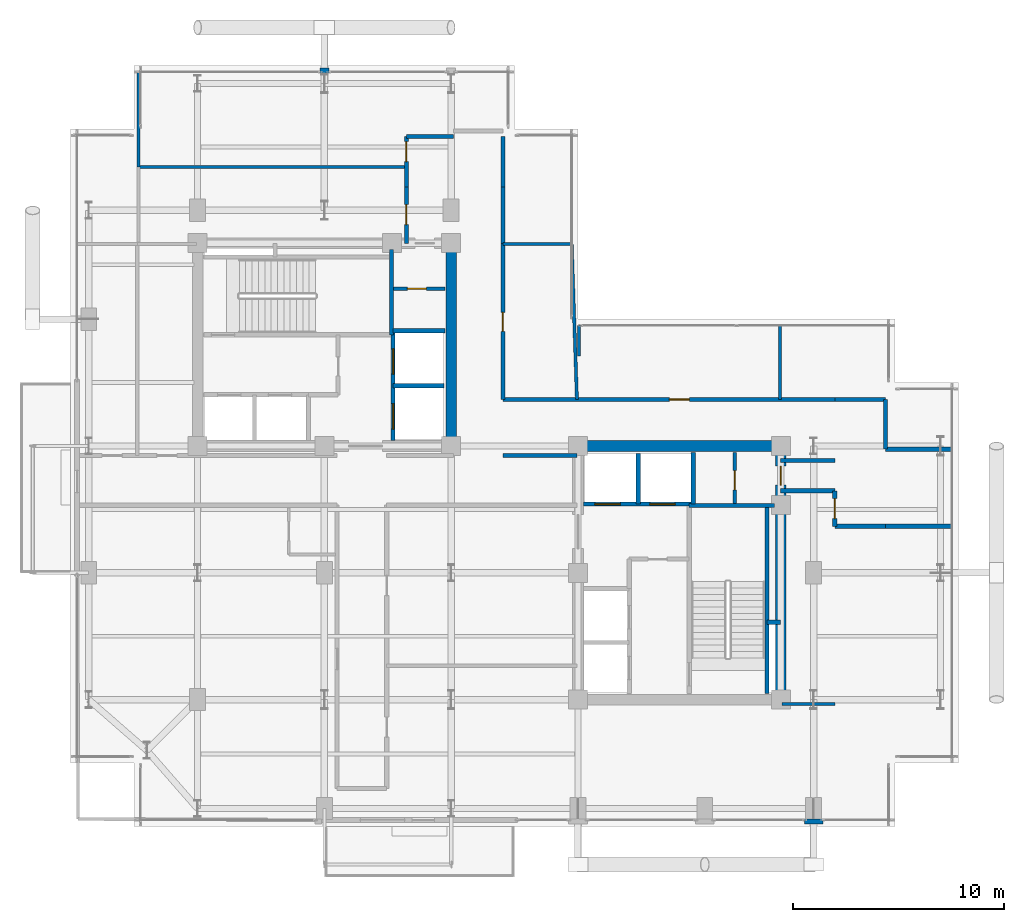
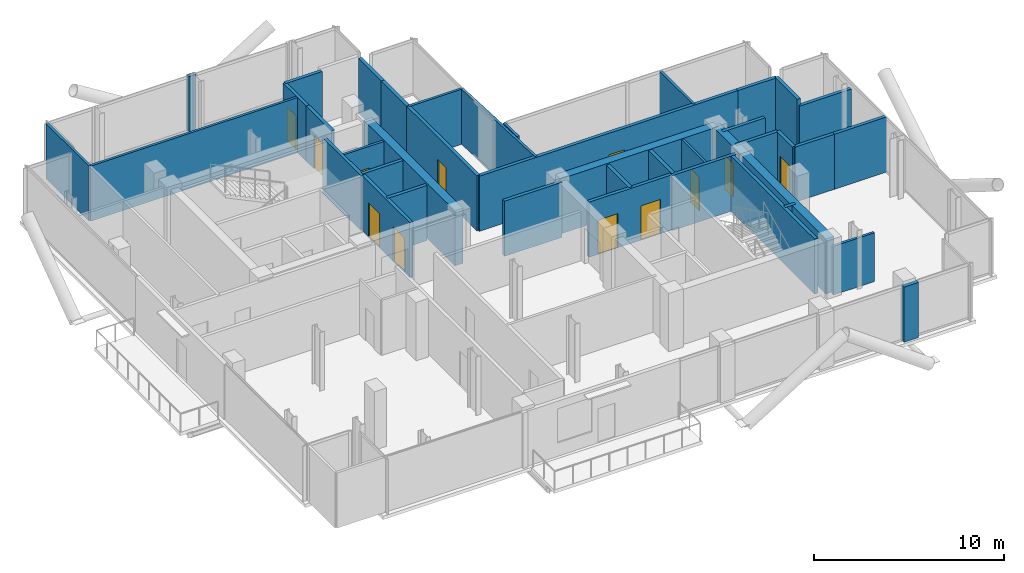
# One storey, part 18 of 21: 40 walls, 12 doors, 12 openings.
"""IFC4 building model written with IfcOpenShell, lengths in metres."""

from ifc_helpers import new_model, si_unit, direction, frame, frame_2d, origin, place, context, subcontext, project, spatial, rectangle, extrude, material, layer, layer_set, type_object, element, fill, save


model = new_model("IFC4")

# Units and contexts
model_context = context("Model", 3, precision=1e-05, world=origin(), true_north=direction((0.0, 1.0)))
body_context = subcontext(model_context, "Body", "Model", "MODEL_VIEW")
ifc_project = project(units=[si_unit("LENGTHUNIT", "METRE"), si_unit("AREAUNIT", "SQUARE_METRE"), si_unit("VOLUMEUNIT", "CUBIC_METRE"), si_unit("PLANEANGLEUNIT", "RADIAN"), si_unit("MASSUNIT", "GRAM", prefix="KILO"), si_unit("THERMODYNAMICTEMPERATUREUNIT", "KELVIN"), si_unit("POWERUNIT", "WATT")], contexts=[model_context])

# Site, building, storey
site_placement = place(None, origin())
site = spatial("IfcSite", under=ifc_project, at=site_placement, CompositionType="ELEMENT")
building_placement = place(site_placement, origin())
building = spatial("IfcBuilding", under=site, at=building_placement, Name="Svarakhadi Broadcast Tower", CompositionType="ELEMENT")
storey_placement = place(building_placement, frame((0.0, 0.0, 223.64990234375)))
storey = spatial("IfcBuildingStorey", under=building, at=storey_placement, Name="L55", CompositionType="ELEMENT", Elevation=223.64990234375)

# Walls
ifc_material_1 = material(Name="Concrete C40/50 (IS 456 M50)", Category="concrete")
ifc_layer_1 = layer(ifc_material_1, 0.239990234375)
ifc_layer_set_1 = layer_set([ifc_layer_1], Name="Concrete C40/50 (IS 456 M50)")
wall_type_1 = type_object("IfcWallType", Name="Wall_Ext_240", PredefinedType="SOLIDWALL", material=ifc_layer_set_1)
wall_1_placement = place(storey_placement, frame((11.784912109375, 35.760009765625, 0.0), z_axis=(0.0, 0.0, 1.0), x_axis=(1.0, 0.0, 0.0)))
element("IfcWall", 1, at=wall_1_placement, inside=storey, type_object=wall_type_1, Name="L55 Perimeter Bronze Spandrel Closure Wall 01", PredefinedType="SOLIDWALL", context=body_context, shape_type="SweptSolid", body=[
    extrude(rectangle(XDim=0.43017578125, YDim=0.239990234375, at=frame_2d((0.215087890625, 0.0))), origin(), (0.0, 0.0, 1.0), 3.5400390625),
])
wall_2_placement = place(storey_placement, frame((35.590087890625, 0.239990234375, 0.0), z_axis=(0.0, 0.0, 1.0), x_axis=(-1.0, 0.0, 0.0)))
element("IfcWall", 2, at=wall_2_placement, inside=storey, type_object=wall_type_1, Name="L55 Perimeter Bronze Spandrel Closure Wall 03", PredefinedType="SOLIDWALL", context=body_context, shape_type="SweptSolid", body=[
    extrude(rectangle(XDim=0.880126953125, YDim=0.239990234375, at=frame_2d((0.43994140625, 0.0))), origin(), (0.0, 0.0, 1.0), 3.5400390625),
])
ifc_layer_2 = layer(ifc_material_1, 0.199951171875)
ifc_layer_set_2 = layer_set([ifc_layer_2], Name="Concrete C40/50 (IS 456 M50)")
wall_type_2 = type_object("IfcWallType", Name="Wall_Fire_200", PredefinedType="SOLIDWALL", material=ifc_layer_set_2)
wall_3_placement = place(storey_placement, frame((32.93994140625, 9.659912109375, 0.0), z_axis=(0.0, 0.0, 1.0), x_axis=(1.0, 0.0, 0.0)))
element("IfcWall", 3, at=wall_3_placement, inside=storey, type_object=wall_type_2, Name="L55 HV Busduct Riser Shaft North Wall", PredefinedType="SOLIDWALL", context=body_context, shape_type="SweptSolid", body=[
    extrude(rectangle(XDim=0.64013671875, YDim=0.199951171875, at=frame_2d((0.320068359375, 0.0))), origin(), (0.0, 0.0, 1.0), 3.5400390625),
])

# Wall, opening, door
wall_4_placement = place(storey_placement, frame((15.8798828125, 27.580078125, 0.0), z_axis=(0.0, 0.0, 1.0), x_axis=(0.0, 1.0, 0.0)))
wall_4 = element("IfcWall", 4, at=wall_4_placement, inside=storey, type_object=wall_type_2, Name="L55 Upper Tower Concourse Wall", PredefinedType="SOLIDWALL", context=body_context, shape_type="SweptSolid", body=[
    extrude(rectangle(XDim=2.669921875, YDim=0.199951171875, at=frame_2d((1.3349609375, 0.0))), origin(), (0.0, 0.0, 1.0), 3.5400390625),
])
opening_1_placement = place(wall_4_placement, frame((0.89501953125, 0.0, 0.0)))
opening_1 = element("IfcOpeningElement", 5, at=opening_1_placement, cuts=wall_4, Name="Opening D-07", PredefinedType="OPENING", context=body_context, shape_type="SweptSolid", body=[
    extrude(rectangle(XDim=0.949951171875, YDim=2.14990234375, at=frame_2d((0.47509765625, 1.074951171875))), frame((0.0, 0.10986328125, 0.0), z_axis=(0.0, -1.0, 0.0), x_axis=(1.0, 0.0, 0.0)), (0.0, 0.0, 1.0), 0.219970703125),
])
ifc_material_2 = material(Name="Solid-Core Teak Veneer Acoustic Timber Leaf", Category="wood")
door_type_1 = type_object("IfcDoorType", Name="Door_Office_D07", OperationType="SINGLE_SWING_RIGHT", PredefinedType="DOOR", material=ifc_material_2)
door_1_placement = place(opening_1_placement, origin())
door_1 = element("IfcDoor", 6, at=door_1_placement, inside=storey, type_object=door_type_1, Name="L55 Ambassador Sky Lounge Door", OperationType="SINGLE_SWING_RIGHT", OverallHeight=2.14990234375, OverallWidth=0.949951171875, PredefinedType="DOOR", context=body_context, shape_type="SweptSolid", body=[
    extrude(rectangle(XDim=0.949951171875, YDim=2.14990234375, at=frame_2d((0.47509765625, 1.074951171875))), frame((0.0, 0.02490234375, 0.0), z_axis=(0.0, -1.0, 0.0), x_axis=(1.0, 0.0, 0.0)), (0.0, 0.0, 1.0), 0.050048828125),
])
fill(opening_1, door_1)

wall_5_placement = place(storey_placement, frame((15.8798828125, 30.25, 0.0), z_axis=(0.0, 0.0, 1.0), x_axis=(0.0, 1.0, 0.0)))
wall_5 = element("IfcWall", 7, at=wall_5_placement, inside=storey, type_object=wall_type_2, Name="L55 Upper Tower Concourse Wall", PredefinedType="SOLIDWALL", context=body_context, shape_type="SweptSolid", body=[
    extrude(rectangle(XDim=2.39990234375, YDim=0.199951171875, at=frame_2d((1.199951171875, 0.0))), origin(), (0.0, 0.0, 1.0), 3.5400390625),
])
opening_2_placement = place(wall_5_placement, frame((1.199951171875, 0.0, 0.0)))
opening_2 = element("IfcOpeningElement", 8, at=opening_2_placement, cuts=wall_5, Name="Opening D-06", PredefinedType="OPENING", context=body_context, shape_type="SweptSolid", body=[
    extrude(rectangle(XDim=0.949951171875, YDim=2.14990234375, at=frame_2d((0.47509765625, 1.074951171875))), frame((0.0, 0.10986328125, 0.0), z_axis=(0.0, -1.0, 0.0), x_axis=(1.0, 0.0, 0.0)), (0.0, 0.0, 1.0), 0.219970703125),
])
door_type_2 = type_object("IfcDoorType", Name="Door_Office_D06", OperationType="SINGLE_SWING_LEFT", PredefinedType="DOOR", material=ifc_material_2)
door_2_placement = place(opening_2_placement, origin())
door_2 = element("IfcDoor", 9, at=door_2_placement, inside=storey, type_object=door_type_2, Name="L55 Private Screening Boardroom Door", OperationType="SINGLE_SWING_LEFT", OverallHeight=2.14990234375, OverallWidth=0.949951171875, PredefinedType="DOOR", context=body_context, shape_type="SweptSolid", body=[
    extrude(rectangle(XDim=0.949951171875, YDim=2.14990234375, at=frame_2d((0.47509765625, 1.074951171875))), frame((0.0, 0.02490234375, 0.0), z_axis=(0.0, -1.0, 0.0), x_axis=(1.0, 0.0, 0.0)), (0.0, 0.0, 1.0), 0.050048828125),
])
fill(opening_2, door_2)

# Walls
wall_6_placement = place(storey_placement, frame((15.8798828125, 32.64990234375, 0.0), z_axis=(0.0, 0.0, 1.0), x_axis=(1.0, 0.0, 0.0)))
element("IfcWall", 10, at=wall_6_placement, inside=storey, type_object=wall_type_2, Name="L55 Upper Tower Concourse Wall", PredefinedType="SOLIDWALL", context=body_context, shape_type="SweptSolid", body=[
    extrude(rectangle(XDim=2.22021484375, YDim=0.199951171875, at=frame_2d((1.110107421875, 0.0))), origin(), (0.0, 0.0, 1.0), 3.5400390625),
])
wall_7_placement = place(storey_placement, frame((20.449951171875, 32.64990234375, 0.0), z_axis=(0.0, 0.0, 1.0), x_axis=(0.0, -1.0, 0.0)))
element("IfcWall", 11, at=wall_7_placement, inside=storey, type_object=wall_type_2, Name="L55 Upper Tower Concourse Wall", PredefinedType="SOLIDWALL", context=body_context, shape_type="SweptSolid", body=[
    extrude(rectangle(XDim=2.39990234375, YDim=0.199951171875, at=frame_2d((1.199951171875, 0.0))), origin(), (0.0, 0.0, 1.0), 3.5400390625),
])
wall_8_placement = place(storey_placement, frame((20.449951171875, 30.25, 0.0), z_axis=(0.0, 0.0, 1.0), x_axis=(0.0, -1.0, 0.0)))
element("IfcWall", 12, at=wall_8_placement, inside=storey, type_object=wall_type_2, Name="L55 Upper Tower Concourse Wall", PredefinedType="SOLIDWALL", context=body_context, shape_type="SweptSolid", body=[
    extrude(rectangle(XDim=2.669921875, YDim=0.199951171875, at=frame_2d((1.3349609375, 0.0))), origin(), (0.0, 0.0, 1.0), 3.5400390625),
])

# Wall, opening, door
wall_9_placement = place(storey_placement, frame((20.449951171875, 27.580078125, 0.0), z_axis=(0.0, 0.0, 1.0), x_axis=(0.0, -1.0, 0.0)))
wall_9 = element("IfcWall", 13, at=wall_9_placement, inside=storey, type_object=wall_type_2, Name="L55 Upper Tower Concourse Wall", PredefinedType="SOLIDWALL", context=body_context, shape_type="SweptSolid", body=[
    extrude(rectangle(XDim=7.380126953125, YDim=0.199951171875, at=frame_2d((3.68994140625, 0.0))), origin(), (0.0, 0.0, 1.0), 3.5400390625),
])
opening_3_placement = place(wall_9_placement, frame((3.2548828125, 0.0, 0.0)))
opening_3 = element("IfcOpeningElement", 14, at=opening_3_placement, cuts=wall_9, Name="Opening D-13", PredefinedType="OPENING", context=body_context, shape_type="SweptSolid", body=[
    extrude(rectangle(XDim=0.89990234375, YDim=2.10009765625, at=frame_2d((0.449951171875, 1.050048828125))), frame((0.0, 0.10986328125, 0.0), z_axis=(0.0, -1.0, 0.0), x_axis=(1.0, 0.0, 0.0)), (0.0, 0.0, 1.0), 0.219970703125),
])
door_type_3 = type_object("IfcDoorType", Name="Door_Closet_D13", OperationType="SINGLE_SWING_RIGHT", PredefinedType="DOOR", material=ifc_material_2)
door_3_placement = place(opening_3_placement, origin())
door_3 = element("IfcDoor", 15, at=door_3_placement, inside=storey, type_object=door_type_3, Name="L55 Accessible Visitor Washroom WC Door", OperationType="SINGLE_SWING_RIGHT", OverallHeight=2.10009765625, OverallWidth=0.89990234375, PredefinedType="DOOR", context=body_context, shape_type="SweptSolid", body=[
    extrude(rectangle(XDim=0.89990234375, YDim=2.10009765625, at=frame_2d((0.449951171875, 1.050048828125))), frame((0.0, 0.02490234375, 0.0), z_axis=(0.0, -1.0, 0.0), x_axis=(1.0, 0.0, 0.0)), (0.0, 0.0, 1.0), 0.050048828125),
])
fill(opening_3, door_3)

wall_10_placement = place(storey_placement, frame((20.449951171875, 20.199951171875, 0.0), z_axis=(0.0, 0.0, 1.0), x_axis=(1.0, 0.0, 0.0)))
wall_10 = element("IfcWall", 16, at=wall_10_placement, inside=storey, type_object=wall_type_2, Name="L55 Upper Tower Concourse Wall", PredefinedType="SOLIDWALL", context=body_context, shape_type="SweptSolid", body=[
    extrude(rectangle(XDim=15.699951171875, YDim=0.199951171875, at=frame_2d((7.85009765625, 0.0))), origin(), (0.0, 0.0, 1.0), 3.5400390625),
])
opening_4_placement = place(wall_10_placement, frame((7.875, 0.0, 0.0)))
opening_4 = element("IfcOpeningElement", 17, at=opening_4_placement, cuts=wall_10, Name="Opening D-06", PredefinedType="OPENING", context=body_context, shape_type="SweptSolid", body=[
    extrude(rectangle(XDim=0.949951171875, YDim=2.14990234375, at=frame_2d((0.47509765625, 1.074951171875))), frame((0.0, 0.10986328125, 0.0), z_axis=(0.0, -1.0, 0.0), x_axis=(1.0, 0.0, 0.0)), (0.0, 0.0, 1.0), 0.219970703125),
])
door_4_placement = place(opening_4_placement, origin())
door_4 = element("IfcDoor", 18, at=door_4_placement, inside=storey, type_object=door_type_2, Name="L55 Harbour Sky Club Reading Room Door", OperationType="SINGLE_SWING_LEFT", OverallHeight=2.14990234375, OverallWidth=0.949951171875, PredefinedType="DOOR", context=body_context, shape_type="SweptSolid", body=[
    extrude(rectangle(XDim=0.949951171875, YDim=2.14990234375, at=frame_2d((0.47509765625, 1.074951171875))), frame((0.0, 0.02490234375, 0.0), z_axis=(0.0, -1.0, 0.0), x_axis=(1.0, 0.0, 0.0)), (0.0, 0.0, 1.0), 0.050048828125),
])
fill(opening_4, door_4)

# Walls
wall_11_placement = place(storey_placement, frame((36.14990234375, 20.199951171875, 0.0), z_axis=(0.0, 0.0, 1.0), x_axis=(1.0, 0.0, 0.0)))
element("IfcWall", 19, at=wall_11_placement, inside=storey, type_object=wall_type_2, Name="L55 Upper Tower Concourse Wall", PredefinedType="SOLIDWALL", context=body_context, shape_type="SweptSolid", body=[
    extrude(rectangle(XDim=2.400146484375, YDim=0.199951171875, at=frame_2d((1.2001953125, 0.0))), origin(), (0.0, 0.0, 1.0), 3.5400390625),
])
wall_12_placement = place(storey_placement, frame((38.550048828125, 20.199951171875, 0.0), z_axis=(0.0, 0.0, 1.0), x_axis=(0.0, -1.0, 0.0)))
element("IfcWall", 20, at=wall_12_placement, inside=storey, type_object=wall_type_2, Name="L55 Upper Tower Concourse Wall", PredefinedType="SOLIDWALL", context=body_context, shape_type="SweptSolid", body=[
    extrude(rectangle(XDim=2.349853515625, YDim=0.199951171875, at=frame_2d((1.1748046875, 0.0))), origin(), (0.0, 0.0, 1.0), 3.5400390625),
])
wall_13_placement = place(storey_placement, frame((38.550048828125, 17.85009765625, 0.0), z_axis=(0.0, 0.0, 1.0), x_axis=(1.0, 0.0, 0.0)))
element("IfcWall", 21, at=wall_13_placement, inside=storey, type_object=wall_type_2, Name="L55 Upper Tower Concourse Wall", PredefinedType="SOLIDWALL", context=body_context, shape_type="SweptSolid", body=[
    extrude(rectangle(XDim=3.14990234375, YDim=0.199951171875, at=frame_2d((1.574951171875, 0.0))), origin(), (0.0, 0.0, 1.0), 3.132080078125),
])
wall_14_placement = place(storey_placement, frame((41.699951171875, 14.199951171875, 0.0), z_axis=(0.0, 0.0, 1.0), x_axis=(-1.0, 0.0, 0.0)))
element("IfcWall", 22, at=wall_14_placement, inside=storey, type_object=wall_type_2, Name="L55 Upper Tower Concourse Wall", PredefinedType="SOLIDWALL", context=body_context, shape_type="SweptSolid", body=[
    extrude(rectangle(XDim=3.14990234375, YDim=0.199951171875, at=frame_2d((1.574951171875, 0.0))), origin(), (0.0, 0.0, 1.0), 3.5400390625),
])
wall_15_placement = place(storey_placement, frame((38.550048828125, 14.199951171875, 0.0), z_axis=(0.0, 0.0, 1.0), x_axis=(-1.0, 0.0, 0.0)))
element("IfcWall", 23, at=wall_15_placement, inside=storey, type_object=wall_type_2, Name="L55 Upper Tower Concourse Wall", PredefinedType="SOLIDWALL", context=body_context, shape_type="SweptSolid", body=[
    extrude(rectangle(XDim=2.400146484375, YDim=0.199951171875, at=frame_2d((1.2001953125, 0.0))), origin(), (0.0, 0.0, 1.0), 3.5400390625),
])

# Wall, opening, door
wall_16_placement = place(storey_placement, frame((36.14990234375, 14.199951171875, 0.0), z_axis=(0.0, 0.0, 1.0), x_axis=(0.0, 1.0, 0.0)))
wall_16 = element("IfcWall", 24, at=wall_16_placement, inside=storey, type_object=wall_type_2, Name="L55 Upper Tower Concourse Wall", PredefinedType="SOLIDWALL", context=body_context, shape_type="SweptSolid", body=[
    extrude(rectangle(XDim=1.679931640625, YDim=0.199951171875, at=frame_2d((0.83984375, 0.0))), origin(), (0.0, 0.0, 1.0), 3.5400390625),
])
opening_5_placement = place(wall_16_placement, frame((0.364990234375, 0.0, 0.0)))
opening_5 = element("IfcOpeningElement", 25, at=opening_5_placement, cuts=wall_16, Name="Opening D-07", PredefinedType="OPENING", context=body_context, shape_type="SweptSolid", body=[
    extrude(rectangle(XDim=0.949951171875, YDim=2.14990234375, at=frame_2d((0.47509765625, 1.074951171875))), frame((0.0, 0.10986328125, 0.0), z_axis=(0.0, -1.0, 0.0), x_axis=(1.0, 0.0, 0.0)), (0.0, 0.0, 1.0), 0.219970703125),
])
door_5_placement = place(opening_5_placement, origin())
door_5 = element("IfcDoor", 26, at=door_5_placement, inside=storey, type_object=door_type_1, Name="L55 Harbour Club Reading Salon Door", OperationType="SINGLE_SWING_RIGHT", OverallHeight=2.14990234375, OverallWidth=0.949951171875, PredefinedType="DOOR", context=body_context, shape_type="SweptSolid", body=[
    extrude(rectangle(XDim=0.949951171875, YDim=2.14990234375, at=frame_2d((0.47509765625, 1.074951171875))), frame((0.0, 0.02490234375, 0.0), z_axis=(0.0, -1.0, 0.0), x_axis=(1.0, 0.0, 0.0)), (0.0, 0.0, 1.0), 0.050048828125),
])
fill(opening_5, door_5)

# Walls
for number, where, z_axis, x_axis, name in (
    (27, (36.14990234375, 15.8798828125, 0.0), (0.0, 0.0, 1.0), (-1.0, 0.0, 0.0), "L55 Upper Tower Concourse Wall"),
    (28, (33.580078125, 17.320068359375, 0.0), (0.0, 0.0, 1.0), (1.0, 0.0, 0.0), "L55 Upper Tower Concourse Wall"),
):
    element("IfcWall", number, at=place(storey_placement, frame(where, z_axis=z_axis, x_axis=x_axis)), inside=storey, type_object=wall_type_2, Name=name, PredefinedType="SOLIDWALL", context=body_context, shape_type="SweptSolid", body=[
        extrude(rectangle(XDim=2.56982421875, YDim=0.199951171875, at=frame_2d((1.284912109375, 0.0))), origin(), (0.0, 0.0, 1.0), 3.5400390625),
    ])
wall_17_placement = place(storey_placement, frame((20.449951171875, 17.550048828125, 0.0), z_axis=(0.0, 0.0, 1.0), x_axis=(1.0, 0.0, 0.0)))
element("IfcWall", 29, at=wall_17_placement, inside=storey, type_object=wall_type_2, Name="L55 Upper Tower Concourse Wall", PredefinedType="SOLIDWALL", context=body_context, shape_type="SweptSolid", body=[
    extrude(rectangle(XDim=3.5, YDim=0.199951171875, at=frame_2d((1.75, 0.0))), origin(), (0.0, 0.0, 1.0), 3.5400390625),
])

# Wall, opening, door
ifc_material_3 = material(Name="Autoclaved Aerated Concrete Blockwork 150 mm", Category="masonry")
ifc_layer_3 = layer(ifc_material_3, 0.14990234375)
ifc_layer_set_3 = layer_set([ifc_layer_3], Name="Autoclaved Aerated Concrete Blockwork 150 mm")
wall_type_3 = type_object("IfcWallType", Name="Wall_Part_150", PredefinedType="PARTITIONING", material=ifc_layer_set_3)
wall_18_placement = place(storey_placement, frame((15.280029296875, 25.43994140625, 0.0), z_axis=(0.0, 0.0, 1.0), x_axis=(1.0, 0.0, 0.0)))
wall_18 = element("IfcWall", 30, at=wall_18_placement, inside=storey, type_object=wall_type_3, Name="L55 West Core Dual Store Wall", PredefinedType="PARTITIONING", context=body_context, shape_type="SweptSolid", body=[
    extrude(rectangle(XDim=2.419921875, YDim=0.14990234375, at=frame_2d((1.2099609375, 0.0))), origin(), (0.0, 0.0, 1.0), 3.5400390625),
])
opening_6_placement = place(wall_18_placement, frame((0.64990234375, 0.0, 0.0)))
opening_6 = element("IfcOpeningElement", 31, at=opening_6_placement, cuts=wall_18, Name="Opening D-04", PredefinedType="OPENING", context=body_context, shape_type="SweptSolid", body=[
    extrude(rectangle(XDim=0.89990234375, YDim=2.14990234375, at=frame_2d((0.449951171875, 1.074951171875))), frame((0.0, 0.0849609375, 0.0), z_axis=(0.0, -1.0, 0.0), x_axis=(1.0, 0.0, 0.0)), (0.0, 0.0, 1.0), 0.169921875),
])
ifc_material_4 = material(Name="Galvanised Powder-Coated Fire-Rated Steel Leaf", Category="steel")
door_type_4 = type_object("IfcDoorType", Name="Door_Fire_D04", OperationType="SINGLE_SWING_RIGHT", PredefinedType="DOOR", material=ifc_material_4)
door_6_placement = place(opening_6_placement, origin())
door_6 = element("IfcDoor", 32, at=door_6_placement, inside=storey, type_object=door_type_4, Name="L55 West Core Store B Door", OperationType="SINGLE_SWING_RIGHT", OverallHeight=2.14990234375, OverallWidth=0.89990234375, PredefinedType="DOOR", context=body_context, shape_type="SweptSolid", body=[
    extrude(rectangle(XDim=0.89990234375, YDim=2.14990234375, at=frame_2d((0.449951171875, 1.074951171875))), frame((0.0, 0.02490234375, 0.0), z_axis=(0.0, -1.0, 0.0), x_axis=(1.0, 0.0, 0.0)), (0.0, 0.0, 1.0), 0.050048828125),
])
fill(opening_6, door_6)

wall_19_placement = place(storey_placement, frame((31.419921875, 15.280029296875, 0.0), z_axis=(0.0, 0.0, 1.0), x_axis=(0.0, 1.0, 0.0)))
wall_19 = element("IfcWall", 33, at=wall_19_placement, inside=storey, type_object=wall_type_3, Name="L55 East Core Dual Store Wall", PredefinedType="PARTITIONING", context=body_context, shape_type="SweptSolid", body=[
    extrude(rectangle(XDim=2.419921875, YDim=0.14990234375, at=frame_2d((1.2099609375, 0.0))), origin(), (0.0, 0.0, 1.0), 3.5400390625),
])
opening_7_placement = place(wall_19_placement, frame((0.64990234375, 0.0, 0.0)))
opening_7 = element("IfcOpeningElement", 34, at=opening_7_placement, cuts=wall_19, Name="Opening D-03", PredefinedType="OPENING", context=body_context, shape_type="SweptSolid", body=[
    extrude(rectangle(XDim=0.89990234375, YDim=2.14990234375, at=frame_2d((0.449951171875, 1.074951171875))), frame((0.0, 0.0849609375, 0.0), z_axis=(0.0, -1.0, 0.0), x_axis=(1.0, 0.0, 0.0)), (0.0, 0.0, 1.0), 0.169921875),
])
door_type_5 = type_object("IfcDoorType", Name="Door_Fire_D03", OperationType="SINGLE_SWING_LEFT", PredefinedType="DOOR", material=ifc_material_4)
door_7_placement = place(opening_7_placement, origin())
door_7 = element("IfcDoor", 35, at=door_7_placement, inside=storey, type_object=door_type_5, Name="L55 East Core Store B Door", OperationType="SINGLE_SWING_LEFT", OverallHeight=2.14990234375, OverallWidth=0.89990234375, PredefinedType="DOOR", context=body_context, shape_type="SweptSolid", body=[
    extrude(rectangle(XDim=0.89990234375, YDim=2.14990234375, at=frame_2d((0.449951171875, 1.074951171875))), frame((0.0, 0.02490234375, 0.0), z_axis=(0.0, -1.0, 0.0), x_axis=(1.0, 0.0, 0.0)), (0.0, 0.0, 1.0), 0.050048828125),
])
fill(opening_7, door_7)

# Walls
wall_20_placement = place(storey_placement, frame((20.449951171875, 27.550048828125, 0.0), z_axis=(0.0, 0.0, 1.0), x_axis=(1.0, 0.0, 0.0)))
element("IfcWall", 36, at=wall_20_placement, inside=storey, type_object=wall_type_3, Name="L55 Accessible Visitor Washroom WC Wall", PredefinedType="PARTITIONING", context=body_context, shape_type="SweptSolid", body=[
    extrude(rectangle(XDim=3.25, YDim=0.14990234375, at=frame_2d((1.625, 0.0))), origin(), (0.0, 0.0, 1.0), 3.5400390625),
])
wall_21_placement = place(storey_placement, frame((23.949951171875, 20.199951171875, 0.0), z_axis=(0.0, 0.0, 1.0), x_axis=(-0.033993495762, 0.999422054112, 0.0)))
element("IfcWall", 37, at=wall_21_placement, inside=storey, type_object=wall_type_3, Name="L55 Accessible Visitor Washroom WC Wall", PredefinedType="PARTITIONING", context=body_context, shape_type="SweptSolid", body=[
    extrude(rectangle(XDim=7.354248046875, YDim=0.14990234375, at=frame_2d((3.67724609375, 0.0))), origin(), (0.0, 0.0, 1.0), 3.5400390625),
])
wall_22_placement = place(storey_placement, frame((24.050048828125, 22.260986328125, 0.0), z_axis=(0.0, 0.0, 1.0), x_axis=(0.0, 1.0, 0.0)))
element("IfcWall", 38, at=wall_22_placement, inside=storey, type_object=wall_type_3, Name="L55 Harbour Sky Club Reading Room Wall", PredefinedType="PARTITIONING", context=body_context, shape_type="SweptSolid", body=[
    extrude(rectangle(XDim=1.43896484375, YDim=0.14990234375, at=frame_2d((0.719482421875, 0.0))), origin(), (0.0, 0.0, 1.0), 3.5400390625),
])
wall_23_placement = place(storey_placement, frame((33.550048828125, 20.199951171875, 0.0), z_axis=(0.0, 0.0, 1.0), x_axis=(0.0, 1.0, 0.0)))
element("IfcWall", 39, at=wall_23_placement, inside=storey, type_object=wall_type_3, Name="L55 Harbour Sky Club Reading Room Wall", PredefinedType="PARTITIONING", context=body_context, shape_type="SweptSolid", body=[
    extrude(rectangle(XDim=3.5, YDim=0.14990234375, at=frame_2d((1.75, 0.0))), origin(), (0.0, 0.0, 1.0), 3.5400390625),
])
wall_24_placement = place(storey_placement, frame((33.64990234375, 5.800048828125, 0.0), z_axis=(0.0, 0.0, 1.0), x_axis=(1.0, 0.0, 0.0)))
element("IfcWall", 40, at=wall_24_placement, inside=storey, type_object=wall_type_3, Name="L55 Harbour Club Reading Salon Wall", PredefinedType="PARTITIONING", context=body_context, shape_type="SweptSolid", body=[
    extrude(rectangle(XDim=2.5, YDim=0.14990234375, at=frame_2d((1.25, 0.0))), origin(), (0.0, 0.0, 1.0), 3.132080078125),
])
wall_25_placement = place(storey_placement, frame((3.199951171875, 31.199951171875, 0.0), z_axis=(0.0, 0.0, 1.0), x_axis=(1.0, 0.0, 0.0)))
element("IfcWall", 41, at=wall_25_placement, inside=storey, type_object=wall_type_3, Name="L55 Ambassador Sky Lounge Wall", PredefinedType="PARTITIONING", context=body_context, shape_type="SweptSolid", body=[
    extrude(rectangle(XDim=12.679931640625, YDim=0.14990234375, at=frame_2d((6.33984375, 0.0))), origin(), (0.0, 0.0, 1.0), 3.5400390625),
])
wall_26_placement = place(storey_placement, frame((3.199951171875, 31.199951171875, 0.0), z_axis=(0.0, 0.0, 1.0), x_axis=(0.0, 1.0, 0.0)))
element("IfcWall", 42, at=wall_26_placement, inside=storey, type_object=wall_type_3, Name="L55 Private Screening Boardroom Wall", PredefinedType="PARTITIONING", context=body_context, shape_type="SweptSolid", body=[
    extrude(rectangle(XDim=4.5, YDim=0.14990234375, at=frame_2d((2.25, 0.0))), origin(), (0.0, 0.0, 1.0), 3.5400390625),
])
ifc_material_5 = material(Name="Concrete C50/60 (IS 456 M60)", Category="concrete")
ifc_layer_4 = layer(ifc_material_5, 0.199951171875)
ifc_layer_set_4 = layer_set([ifc_layer_4], Name="Concrete C50/60 (IS 456 M60)")
wall_type_4 = type_object("IfcWallType", Name="Wall_Shear_200", PredefinedType="SHEAR", material=ifc_layer_set_4)
wall_27_placement = place(storey_placement, frame((15.179931640625, 23.260009765625, 0.0), z_axis=(0.0, 0.0, 1.0), x_axis=(0.0, 1.0, 0.0)))
element("IfcWall", 43, at=wall_27_placement, inside=storey, type_object=wall_type_4, Name="L55 Stair ST-01 East RC Shaft Wall", PredefinedType="SHEAR", context=body_context, shape_type="SweptSolid", body=[
    extrude(rectangle(XDim=4.0400390625, YDim=0.199951171875, at=frame_2d((2.02001953125, 0.0))), origin(), (0.0, 0.0, 1.0), 3.5400390625),
])
wall_28_placement = place(storey_placement, frame((32.93994140625, 6.300048828125, 0.0), z_axis=(0.0, 0.0, 1.0), x_axis=(0.0, 1.0, 0.0)))
element("IfcWall", 44, at=wall_28_placement, inside=storey, type_object=wall_type_4, Name="L55 Stair ST-02 East RC Shaft Wall", PredefinedType="SHEAR", context=body_context, shape_type="SweptSolid", body=[
    extrude(rectangle(XDim=8.8798828125, YDim=0.199951171875, at=frame_2d((4.43994140625, 0.0))), origin(), (0.0, 0.0, 1.0), 3.5400390625),
])
wall_29_placement = place(storey_placement, frame((29.260009765625, 15.179931640625, 0.0), z_axis=(0.0, 0.0, 1.0), x_axis=(1.0, 0.0, 0.0)))
element("IfcWall", 45, at=wall_29_placement, inside=storey, type_object=wall_type_4, Name="L55 Stair ST-02 North RC Shaft Wall", PredefinedType="SHEAR", context=body_context, shape_type="SweptSolid", body=[
    extrude(rectangle(XDim=4.0400390625, YDim=0.199951171875, at=frame_2d((2.02001953125, 0.0))), origin(), (0.0, 0.0, 1.0), 3.5400390625),
])

# Wall, openings, doors
wall_30_placement = place(storey_placement, frame((15.25, 18.25, 0.0), z_axis=(0.0, 0.0, 1.0), x_axis=(0.0, 1.0, 0.0)))
wall_30 = element("IfcWall", 46, at=wall_30_placement, inside=storey, type_object=wall_type_4, Name="L55 High-Rise Lift LF-13/14 West Shaft Wall", PredefinedType="SHEAR", context=body_context, shape_type="SweptSolid", body=[
    extrude(rectangle(XDim=5.199951171875, YDim=0.199951171875, at=frame_2d((2.60009765625, 0.0))), origin(), (0.0, 0.0, 1.0), 3.5400390625),
])
opening_8_placement = place(wall_30_placement, frame((0.550048828125, 0.0, 0.0)))
opening_8 = element("IfcOpeningElement", 47, at=opening_8_placement, cuts=wall_30, Name="Opening LD-02", PredefinedType="OPENING", context=body_context, shape_type="SweptSolid", body=[
    extrude(rectangle(XDim=1.199951171875, YDim=2.199951171875, at=frame_2d((0.60009765625, 1.10009765625))), frame((0.0, 0.10986328125, 0.0), z_axis=(0.0, -1.0, 0.0), x_axis=(1.0, 0.0, 0.0)), (0.0, 0.0, 1.0), 0.219970703125),
])
opening_9_placement = place(wall_30_placement, frame((3.14990234375, 0.0, 0.0)))
opening_9 = element("IfcOpeningElement", 48, at=opening_9_placement, cuts=wall_30, Name="Opening LD-02", PredefinedType="OPENING", context=body_context, shape_type="SweptSolid", body=[
    extrude(rectangle(XDim=1.199951171875, YDim=2.199951171875, at=frame_2d((0.60009765625, 1.10009765625))), frame((0.0, 0.10986328125, 0.0), z_axis=(0.0, -1.0, 0.0), x_axis=(1.0, 0.0, 0.0)), (0.0, 0.0, 1.0), 0.219970703125),
])
door_type_6 = type_object("IfcDoorType", Name="Door_Lift_LD02", OperationType="SLIDING_TO_RIGHT", PredefinedType="DOOR", material=ifc_material_4)
door_8_placement = place(opening_8_placement, origin())
door_8 = element("IfcDoor", 49, at=door_8_placement, inside=storey, type_object=door_type_6, Name="L55 High-Rise Lift LF-13 Landing Door", OperationType="SLIDING_TO_RIGHT", OverallHeight=2.199951171875, OverallWidth=1.199951171875, PredefinedType="DOOR", context=body_context, shape_type="SweptSolid", body=[
    extrude(rectangle(XDim=1.199951171875, YDim=2.199951171875, at=frame_2d((0.60009765625, 1.10009765625))), frame((0.0, 0.02490234375, 0.0), z_axis=(0.0, -1.0, 0.0), x_axis=(1.0, 0.0, 0.0)), (0.0, 0.0, 1.0), 0.050048828125),
])
fill(opening_8, door_8)
door_9_placement = place(opening_9_placement, origin())
door_9 = element("IfcDoor", 50, at=door_9_placement, inside=storey, type_object=door_type_6, Name="L55 High-Rise Lift LF-14 Landing Door", OperationType="SLIDING_TO_RIGHT", OverallHeight=2.199951171875, OverallWidth=1.199951171875, PredefinedType="DOOR", context=body_context, shape_type="SweptSolid", body=[
    extrude(rectangle(XDim=1.199951171875, YDim=2.199951171875, at=frame_2d((0.60009765625, 1.10009765625))), frame((0.0, 0.02490234375, 0.0), z_axis=(0.0, -1.0, 0.0), x_axis=(1.0, 0.0, 0.0)), (0.0, 0.0, 1.0), 0.050048828125),
])
fill(opening_9, door_9)

# Walls
wall_31_placement = place(storey_placement, frame((15.25, 20.85009765625, 0.0), z_axis=(0.0, 0.0, 1.0), x_axis=(1.0, 0.0, 0.0)))
element("IfcWall", 51, at=wall_31_placement, inside=storey, type_object=wall_type_4, Name="L55 High-Rise Lift LF-13/14 Divider", PredefinedType="SHEAR", context=body_context, shape_type="SweptSolid", body=[
    extrude(rectangle(XDim=2.39990234375, YDim=0.199951171875, at=frame_2d((1.199951171875, 0.0))), origin(), (0.0, 0.0, 1.0), 3.5400390625),
])
wall_32_placement = place(storey_placement, frame((15.25, 23.449951171875, 0.0), z_axis=(0.0, 0.0, 1.0), x_axis=(1.0, 0.0, 0.0)))
element("IfcWall", 52, at=wall_32_placement, inside=storey, type_object=wall_type_4, Name="L55 High-Rise Lift LF-13/14 North Wall", PredefinedType="SHEAR", context=body_context, shape_type="SweptSolid", body=[
    extrude(rectangle(XDim=2.449951171875, YDim=0.199951171875, at=frame_2d((1.22509765625, 0.0))), origin(), (0.0, 0.0, 1.0), 3.5400390625),
])

# Wall, openings, doors
wall_33_placement = place(storey_placement, frame((24.25, 15.25, 0.0), z_axis=(0.0, 0.0, 1.0), x_axis=(1.0, 0.0, 0.0)))
wall_33 = element("IfcWall", 53, at=wall_33_placement, inside=storey, type_object=wall_type_4, Name="L55 High-Rise Lift LF-15/16 South Shaft Wall", PredefinedType="SHEAR", context=body_context, shape_type="SweptSolid", body=[
    extrude(rectangle(XDim=5.199951171875, YDim=0.199951171875, at=frame_2d((2.60009765625, 0.0))), origin(), (0.0, 0.0, 1.0), 3.5400390625),
])
opening_10_placement = place(wall_33_placement, frame((0.550048828125, 0.0, 0.0)))
opening_10 = element("IfcOpeningElement", 54, at=opening_10_placement, cuts=wall_33, Name="Opening LD-02", PredefinedType="OPENING", context=body_context, shape_type="SweptSolid", body=[
    extrude(rectangle(XDim=1.199951171875, YDim=2.199951171875, at=frame_2d((0.60009765625, 1.10009765625))), frame((0.0, 0.10986328125, 0.0), z_axis=(0.0, -1.0, 0.0), x_axis=(1.0, 0.0, 0.0)), (0.0, 0.0, 1.0), 0.219970703125),
])
opening_11_placement = place(wall_33_placement, frame((3.14990234375, 0.0, 0.0)))
opening_11 = element("IfcOpeningElement", 55, at=opening_11_placement, cuts=wall_33, Name="Opening LD-02", PredefinedType="OPENING", context=body_context, shape_type="SweptSolid", body=[
    extrude(rectangle(XDim=1.199951171875, YDim=2.199951171875, at=frame_2d((0.60009765625, 1.10009765625))), frame((0.0, 0.10986328125, 0.0), z_axis=(0.0, -1.0, 0.0), x_axis=(1.0, 0.0, 0.0)), (0.0, 0.0, 1.0), 0.219970703125),
])
door_10_placement = place(opening_10_placement, origin())
door_10 = element("IfcDoor", 56, at=door_10_placement, inside=storey, type_object=door_type_6, Name="L55 High-Rise Lift LF-15 Landing Door", OperationType="SLIDING_TO_RIGHT", OverallHeight=2.199951171875, OverallWidth=1.199951171875, PredefinedType="DOOR", context=body_context, shape_type="SweptSolid", body=[
    extrude(rectangle(XDim=1.199951171875, YDim=2.199951171875, at=frame_2d((0.60009765625, 1.10009765625))), frame((0.0, 0.02490234375, 0.0), z_axis=(0.0, -1.0, 0.0), x_axis=(1.0, 0.0, 0.0)), (0.0, 0.0, 1.0), 0.050048828125),
])
fill(opening_10, door_10)
door_11_placement = place(opening_11_placement, origin())
door_11 = element("IfcDoor", 57, at=door_11_placement, inside=storey, type_object=door_type_6, Name="L55 High-Rise Lift LF-16 Landing Door", OperationType="SLIDING_TO_RIGHT", OverallHeight=2.199951171875, OverallWidth=1.199951171875, PredefinedType="DOOR", context=body_context, shape_type="SweptSolid", body=[
    extrude(rectangle(XDim=1.199951171875, YDim=2.199951171875, at=frame_2d((0.60009765625, 1.10009765625))), frame((0.0, 0.02490234375, 0.0), z_axis=(0.0, -1.0, 0.0), x_axis=(1.0, 0.0, 0.0)), (0.0, 0.0, 1.0), 0.050048828125),
])
fill(opening_11, door_11)

# Walls
wall_34_placement = place(storey_placement, frame((26.85009765625, 15.25, 0.0), z_axis=(0.0, 0.0, 1.0), x_axis=(0.0, 1.0, 0.0)))
element("IfcWall", 58, at=wall_34_placement, inside=storey, type_object=wall_type_4, Name="L55 High-Rise Lift LF-15/16 Divider", PredefinedType="SHEAR", context=body_context, shape_type="SweptSolid", body=[
    extrude(rectangle(XDim=2.39990234375, YDim=0.199951171875, at=frame_2d((1.199951171875, 0.0))), origin(), (0.0, 0.0, 1.0), 3.5400390625),
])
wall_35_placement = place(storey_placement, frame((29.449951171875, 15.25, 0.0), z_axis=(0.0, 0.0, 1.0), x_axis=(0.0, 1.0, 0.0)))
element("IfcWall", 59, at=wall_35_placement, inside=storey, type_object=wall_type_4, Name="L55 High-Rise Lift LF-15/16 East Wall", PredefinedType="SHEAR", context=body_context, shape_type="SweptSolid", body=[
    extrude(rectangle(XDim=2.449951171875, YDim=0.199951171875, at=frame_2d((1.22509765625, 0.0))), origin(), (0.0, 0.0, 1.0), 3.5400390625),
])
ifc_layer_5 = layer(ifc_material_5, 0.5)
ifc_layer_set_5 = layer_set([ifc_layer_5], Name="Concrete C50/60 (IS 456 M60)")
wall_type_5 = type_object("IfcWallType", Name="Wall_Shear_500", PredefinedType="SHEAR", material=ifc_layer_set_5)
for number, where, z_axis, x_axis, name in (
    (60, (18.0, 18.0, 0.0), (0.0, 0.0, 1.0), (0.0, 1.0, 0.0), "L55 West Core East Shear Wall"),
    (61, (24.0, 18.0, 0.0), (0.0, 0.0, 1.0), (1.0, 0.0, 0.0), "L55 East Core North Shear Wall"),
):
    element("IfcWall", number, at=place(storey_placement, frame(where, z_axis=z_axis, x_axis=x_axis)), inside=storey, type_object=wall_type_5, Name=name, PredefinedType="SHEAR", context=body_context, shape_type="SweptSolid", body=[
        extrude(rectangle(XDim=9.60009765625, YDim=0.5, at=frame_2d((4.800048828125, 0.0))), origin(), (0.0, 0.0, 1.0), 3.5400390625),
    ])

# Wall, opening, door
wall_36_placement = place(storey_placement, frame((33.60009765625, 6.0, 0.0), z_axis=(0.0, 0.0, 1.0), x_axis=(0.0, 1.0, 0.0)))
wall_36 = element("IfcWall", 62, at=wall_36_placement, inside=storey, type_object=wall_type_5, Name="L55 East Core East Shear Wall", PredefinedType="SHEAR", context=body_context, shape_type="SweptSolid", body=[
    extrude(rectangle(XDim=12.0, YDim=0.5, at=frame_2d((6.0, 0.0))), origin(), (0.0, 0.0, 1.0), 3.5400390625),
])
opening_12_placement = place(wall_36_placement, frame((10.14990234375, 0.0, 0.0)))
opening_12 = element("IfcOpeningElement", 63, at=opening_12_placement, cuts=wall_36, Name="Opening D-03", PredefinedType="OPENING", context=body_context, shape_type="SweptSolid", body=[
    extrude(rectangle(XDim=0.89990234375, YDim=2.14990234375, at=frame_2d((0.449951171875, 1.074951171875))), frame((0.0, 0.260009765625, 0.0), z_axis=(0.0, -1.0, 0.0), x_axis=(1.0, 0.0, 0.0)), (0.0, 0.0, 1.0), 0.52001953125),
])
door_12_placement = place(opening_12_placement, origin())
door_12 = element("IfcDoor", 64, at=door_12_placement, inside=storey, type_object=door_type_5, Name="L55 East Core Store A Door", OperationType="SINGLE_SWING_LEFT", OverallHeight=2.14990234375, OverallWidth=0.89990234375, PredefinedType="DOOR", context=body_context, shape_type="SweptSolid", body=[
    extrude(rectangle(XDim=0.89990234375, YDim=2.14990234375, at=frame_2d((0.449951171875, 1.074951171875))), frame((0.0, 0.02490234375, 0.0), z_axis=(0.0, -1.0, 0.0), x_axis=(1.0, 0.0, 0.0)), (0.0, 0.0, 1.0), 0.050048828125),
])
fill(opening_12, door_12)

save(model, "model.ifc")
